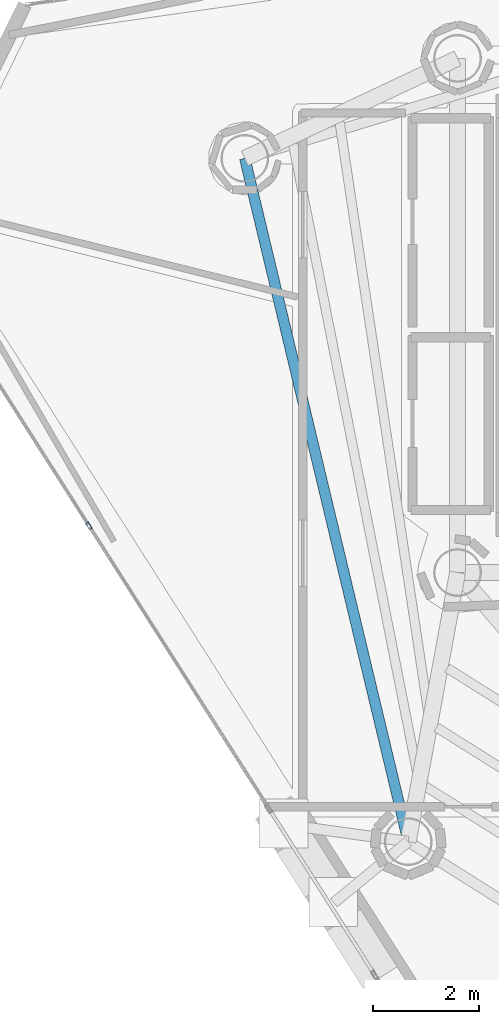
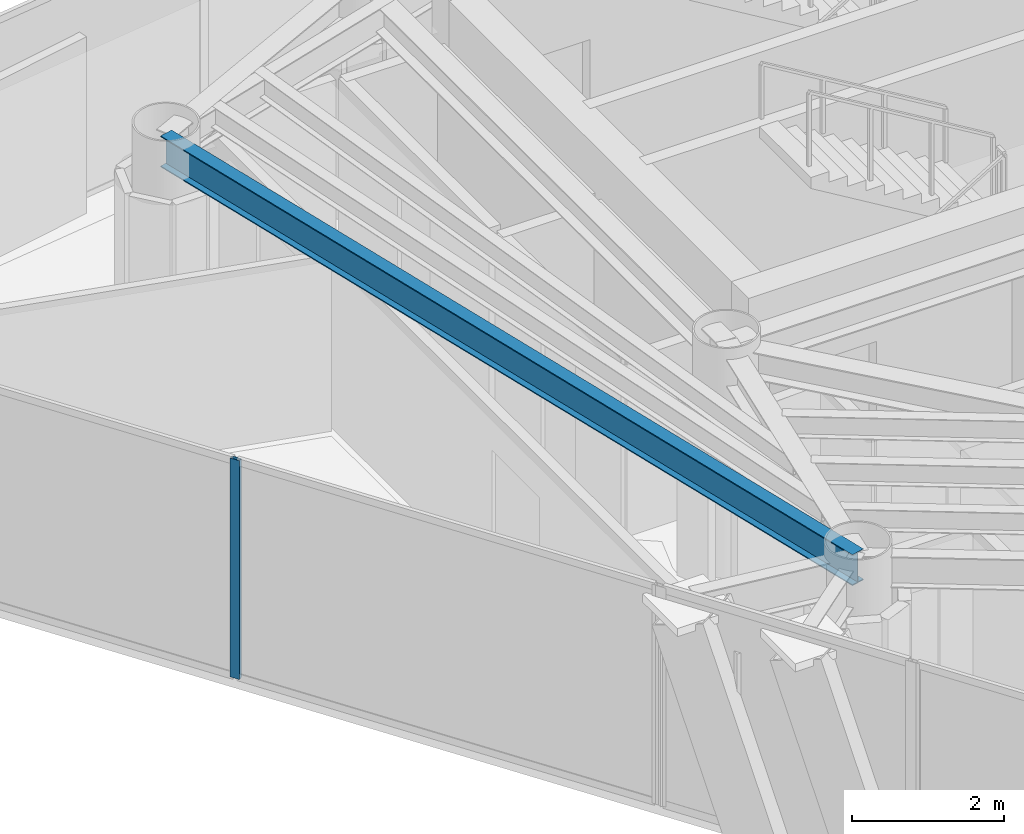
# One storey, part 8 of 25: 1 beam, 1 member, 1 element without a shape of its own.
"""IFC4 building model written with IfcOpenShell, lengths in metres."""

from ifc_helpers import new_model, si_unit, direction, frame, origin, origin_2d, place, context, subcontext, project, spatial, hollow_rectangle, i_section, extrude, material, layer, layer_set, material_profile, profile_set, type_object, element, aggregate, save


model = new_model("IFC4")

# Units and contexts
model_context = context("Model", 3, precision=1e-05, world=origin(), true_north=direction((0.0, 1.0)))
body_context = subcontext(model_context, "Body", "Model", "MODEL_VIEW")
ifc_project = project(units=[si_unit("LENGTHUNIT", "METRE"), si_unit("AREAUNIT", "SQUARE_METRE"), si_unit("VOLUMEUNIT", "CUBIC_METRE"), si_unit("PLANEANGLEUNIT", "RADIAN"), si_unit("MASSUNIT", "GRAM", prefix="KILO")], contexts=[model_context])

# Site, building, storey
site_placement = place(None, origin())
site = spatial("IfcSite", under=ifc_project, at=site_placement, CompositionType="ELEMENT")
building_placement = place(site_placement, origin())
building = spatial("IfcBuilding", under=site, at=building_placement, Name="Qianvela Tower", CompositionType="ELEMENT")
storey_placement = place(building_placement, frame((0.0, 0.0, 288.0)))
storey = spatial("IfcBuildingStorey", under=building, at=storey_placement, Name="L74", CompositionType="ELEMENT", Elevation=288.0)

# Beam
ifc_material_1 = material(Name="Steel Q355B", Category="steel")
ifc_material_profile_1 = material_profile(ifc_material_1, i_section(OverallWidth=0.199951171875, OverallDepth=0.5, WebThickness=0.010009765625, FlangeThickness=0.01611328125, at=origin_2d()), Name="HN500x200x10x16")
ifc_profile_set_1 = profile_set([ifc_material_profile_1], Name="Steel Q355B")
beam_type = type_object("IfcBeamType", Name="BM-HN500-GIRD", PredefinedType="BEAM", material=ifc_profile_set_1)
beam_placement = place(storey_placement, frame((24.5869140625, 31.6630859375, 3.26806640625), z_axis=(0.232631550142, -0.972564939672, 0.0), x_axis=(0.972564939672, 0.232631550142, 0.0)))
element("IfcBeam", 1, at=beam_placement, inside=storey, type_object=beam_type, Name="L74 Perimeter Ring Spandrel Girder 3", PredefinedType="BEAM", context=body_context, shape_type="SweptSolid", body=[
    extrude(i_section(OverallWidth=0.199951171875, OverallDepth=0.5, WebThickness=0.010009765625, FlangeThickness=0.01611328125, at=origin_2d()), origin(), (0.0, 0.0, 1.0), 13.252685546875),
])

# Curtain wall, member
ifc_material_2 = material(Name="Anodised Architectural Aluminium and Low-E Glass", Category="aluminium")
ifc_layer = layer(ifc_material_2, 0.14990234375)
ifc_layer_set = layer_set([ifc_layer], Name="Anodised Architectural Aluminium and Low-E Glass")
curtain_wall_type = type_object("IfcCurtainWallType", Name="CW-COLIV-Z78", PredefinedType="USERDEFINED", material=ifc_layer_set)
curtain_wall_placement = place(storey_placement, origin())
curtain_wall = element("IfcCurtainWall", 2, at=curtain_wall_placement, inside=storey, type_object=curtain_wall_type, Name="L74 CW-COLIV-Z78 Curtain Wall 04A", ObjectType="CURTAIN_WALL_SYSTEM", PredefinedType="USERDEFINED")
ifc_material_3 = material(Name="Anodised Architectural Aluminium 6063-T6", Category="aluminium")
ifc_material_profile_2 = material_profile(ifc_material_3, hollow_rectangle(XDim=0.06005859375, YDim=0.139892578125, WallThickness=0.00439453125, at=origin_2d()), Name="ALU-MULL-60x140")
ifc_profile_set_2 = profile_set([ifc_material_profile_2], Name="Anodised Architectural Aluminium 6063-T6")
member_type = type_object("IfcMemberType", Name="CW-COLIV-Z78-MULL", PredefinedType="MULLION", material=ifc_profile_set_2)
member_placement = place(storey_placement, frame((21.645751953125, 24.73095703125, 0.0), z_axis=(0.0, 0.0, 1.0), x_axis=(0.843577423445, 0.537007570388, 0.0)))
member = element("IfcMember", 3, at=member_placement, type_object=member_type, Name="CW-6 mullion 2", PredefinedType="MULLION", context=body_context, shape_type="SweptSolid", body=[
    extrude(hollow_rectangle(XDim=0.06005859375, YDim=0.139892578125, WallThickness=0.00439453125, at=origin_2d()), origin(), (0.0, 0.0, 1.0), 3.52001953125),
])
aggregate(curtain_wall, [member])

save(model, "model.ifc")
